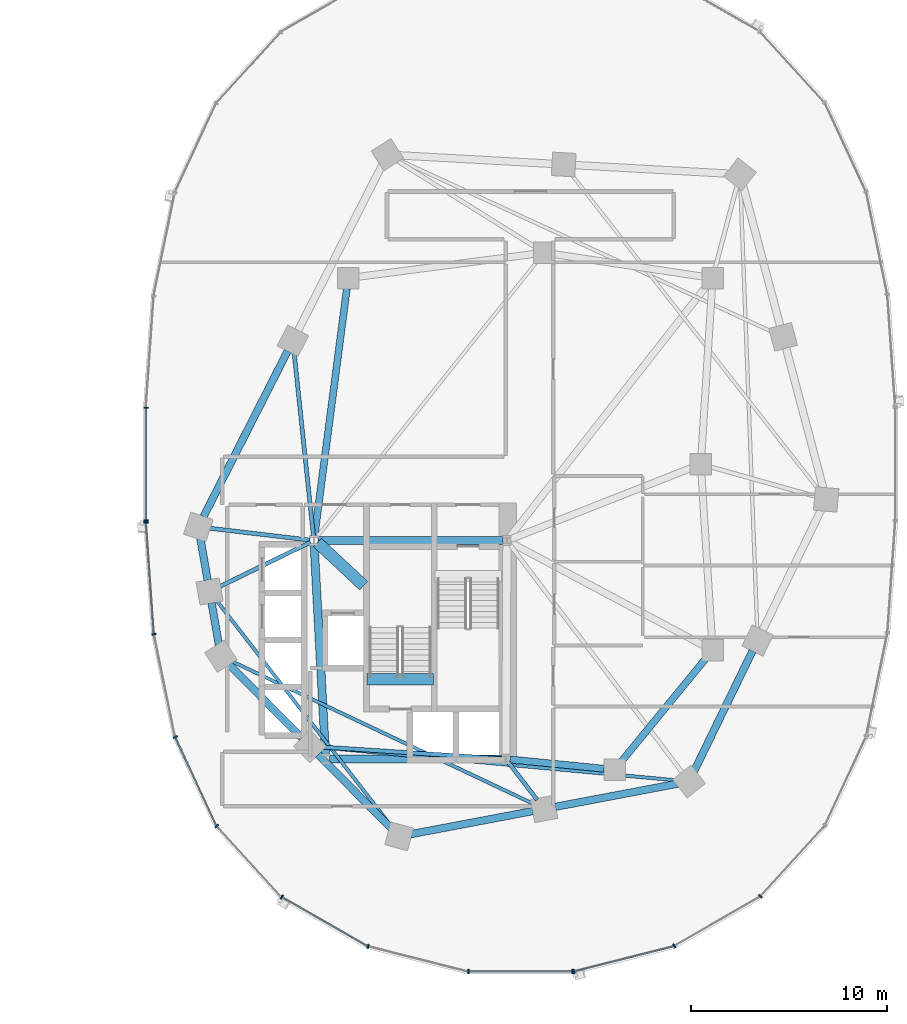
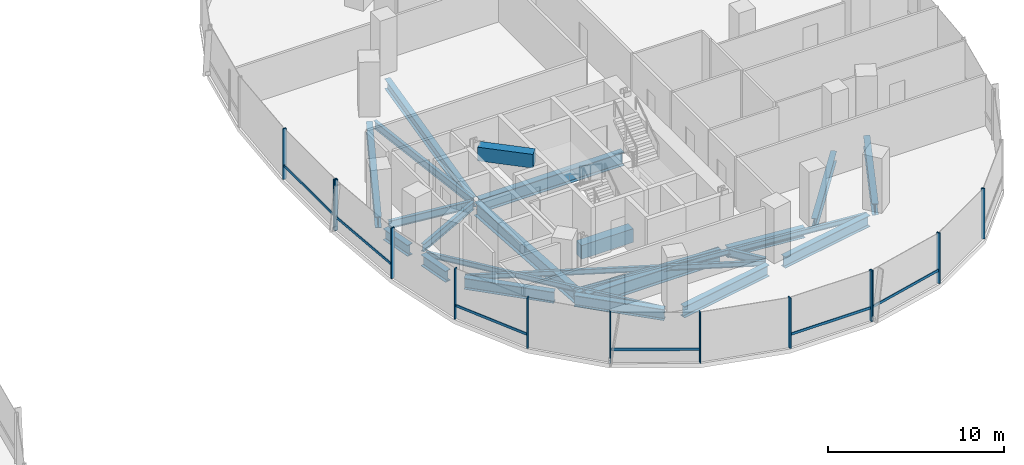
# One storey, part 5 of 21: 24 beams, 19 members, 3 elements without a shape of their own.
"""IFC4 building model written with IfcOpenShell, lengths in metres."""

from ifc_helpers import new_model, si_unit, direction, frame, origin, origin_2d, place, context, subcontext, project, spatial, rectangle, i_section, extrude, material, material_profile, profile_set, type_object, element, aggregate, save


model = new_model("IFC4")

# Units and contexts
model_context = context("Model", 3, precision=1e-05, world=origin(), true_north=direction((0.0, 1.0)))
body_context = subcontext(model_context, "Body", "Model", "MODEL_VIEW")
ifc_project = project(units=[si_unit("LENGTHUNIT", "METRE"), si_unit("AREAUNIT", "SQUARE_METRE"), si_unit("VOLUMEUNIT", "CUBIC_METRE"), si_unit("PLANEANGLEUNIT", "RADIAN"), si_unit("MASSUNIT", "GRAM", prefix="KILO"), si_unit("THERMODYNAMICTEMPERATUREUNIT", "KELVIN"), si_unit("POWERUNIT", "WATT")], contexts=[model_context])

# Site, building, storey
site_placement = place(None, origin())
site = spatial("IfcSite", under=ifc_project, at=site_placement, CompositionType="ELEMENT")
building_placement = place(site_placement, origin())
building = spatial("IfcBuilding", under=site, at=building_placement, Name="Cundina Bronze Exchange", CompositionType="ELEMENT")
storey_placement = place(building_placement, frame((0.0, 0.0, 50.60009765625)))
storey = spatial("IfcBuildingStorey", under=building, at=storey_placement, Name="L12", CompositionType="ELEMENT", Elevation=50.60009765625)

# Beams
ifc_material_1 = material(Name="Concrete C60/75", Category="concrete")
ifc_material_profile_1 = material_profile(ifc_material_1, rectangle(XDim=0.60009765625, YDim=0.949951171875, at=origin_2d()), Name="RC600X950", Category="concrete")
ifc_profile_set_1 = profile_set([ifc_material_profile_1], Name="Concrete C60/75")
beam_type_1 = type_object("IfcBeamType", Name="BM-COUP-RC950", PredefinedType="LINTEL", material=ifc_profile_set_1)
beam_1_placement = place(storey_placement, frame((24.159912109375, -10.97998046875, -0.47509765625), z_axis=(1.0, 0.0, 0.0), x_axis=(0.0, 1.0, 0.0)))
element("IfcBeam", 1, at=beam_1_placement, inside=storey, type_object=beam_type_1, Name="L12 Stair E2 Landing Header Beam", PredefinedType="LINTEL", context=body_context, shape_type="SweptSolid", body=[
    extrude(rectangle(XDim=0.60009765625, YDim=0.949951171875, at=origin_2d()), origin(), (0.0, 0.0, 1.0), 3.400146484375),
])
beam_2_placement = place(storey_placement, frame((21.6298828125, -4.0, 3.02490234375), z_axis=(0.731490439815, -0.681851696822, 0.0), x_axis=(0.681851696822, 0.731490439815, 0.0)))
element("IfcBeam", 2, at=beam_2_placement, inside=storey, type_object=beam_type_1, Name="L12 E Core Shear Coupling Lintel Beam", PredefinedType="LINTEL", context=body_context, shape_type="SweptSolid", body=[
    extrude(rectangle(XDim=0.60009765625, YDim=0.949951171875, at=origin_2d()), origin(), (0.0, 0.0, 1.0), 3.226318359375),
])
ifc_material_2 = material(Name="Steel ASTM A992 Grade 50", Category="steel")
ifc_material_profile_2 = material_profile(ifc_material_2, i_section(OverallWidth=0.2099609375, OverallDepth=0.532958984375, WebThickness=0.01025390625, FlangeThickness=0.015625, FilletRadius=0.013916015625, at=origin_2d()), Name="W21X62", Category="steel")
ifc_profile_set_2 = profile_set([ifc_material_profile_2], Name="Steel ASTM A992 Grade 50")
beam_type_2 = type_object("IfcBeamType", Name="BM-FLR-W21B", PredefinedType="BEAM", material=ifc_profile_set_2)
beam_3_placement = place(storey_placement, frame((21.247314453125, -3.8759765625, -0.566650390625), z_axis=(-0.993035236117, 0.117817739878, 0.0), x_axis=(-0.117817739878, -0.993035236117, 0.0)))
element("IfcBeam", 3, at=beam_3_placement, inside=storey, type_object=beam_type_2, Name="L12 Leg E Chordal Floor Beam 00", PredefinedType="BEAM", context=body_context, shape_type="SweptSolid", body=[
    extrude(i_section(OverallWidth=0.2099609375, OverallDepth=0.532958984375, WebThickness=0.01025390625, FlangeThickness=0.015625, FilletRadius=0.013916015625, at=origin_2d()), origin(), (0.0, 0.0, 1.0), 5.1494140625),
])
beam_4_placement = place(storey_placement, frame((21.2666015625, -3.989501953125, -0.566650390625), z_axis=(-0.898610249448, -0.438747785849, 0.0), x_axis=(0.438747785849, -0.898610249448, 0.0)))
element("IfcBeam", 4, at=beam_4_placement, inside=storey, type_object=beam_type_2, Name="L12 Leg E Chordal Floor Beam 01", PredefinedType="BEAM", context=body_context, shape_type="SweptSolid", body=[
    extrude(i_section(OverallWidth=0.2099609375, OverallDepth=0.532958984375, WebThickness=0.01025390625, FlangeThickness=0.015625, FilletRadius=0.013916015625, at=origin_2d()), origin(), (0.0, 0.0, 1.0), 5.1337890625),
])
beam_5_placement = place(storey_placement, frame((31.04638671875, -15.036865234375, -0.566650390625), z_axis=(-0.99789233798, 0.064891307594, 0.0), x_axis=(-0.064891307594, -0.99789233798, 0.0)))
element("IfcBeam", 5, at=beam_5_placement, inside=storey, type_object=beam_type_2, Name="L12 Leg E Chordal Floor Beam 03", PredefinedType="BEAM", context=body_context, shape_type="SweptSolid", body=[
    extrude(i_section(OverallWidth=0.2099609375, OverallDepth=0.532958984375, WebThickness=0.01025390625, FlangeThickness=0.015625, FilletRadius=0.013916015625, at=origin_2d()), origin(), (0.0, 0.0, 1.0), 9.22900390625),
])
beam_6_placement = place(storey_placement, frame((31.373779296875, -15.2119140625, -0.566650390625), z_axis=(0.607468844289, -0.794343504548, 0.0), x_axis=(0.794343504548, 0.607468844289, 0.0)))
element("IfcBeam", 6, at=beam_6_placement, inside=storey, type_object=beam_type_2, Name="L12 Leg E Chordal Floor Beam 05", PredefinedType="BEAM", context=body_context, shape_type="SweptSolid", body=[
    extrude(i_section(OverallWidth=0.2099609375, OverallDepth=0.532958984375, WebThickness=0.01025390625, FlangeThickness=0.015625, FilletRadius=0.013916015625, at=origin_2d()), origin(), (0.0, 0.0, 1.0), 2.418212890625),
])
beam_7_placement = place(storey_placement, frame((21.4287109375, -3.697021484375, -0.566650390625), z_axis=(-0.10483517787, 0.994489610544, 0.0), x_axis=(-0.994489610544, -0.10483517787, 0.0)))
element("IfcBeam", 7, at=beam_7_placement, inside=storey, type_object=beam_type_2, Name="L12 Leg E Chordal Floor Beam 13", PredefinedType="BEAM", context=body_context, shape_type="SweptSolid", body=[
    extrude(i_section(OverallWidth=0.2099609375, OverallDepth=0.532958984375, WebThickness=0.01025390625, FlangeThickness=0.015625, FilletRadius=0.013916015625, at=origin_2d()), origin(), (0.0, 0.0, 1.0), 9.46435546875),
])
ifc_material_profile_3 = material_profile(ifc_material_2, i_section(OverallWidth=0.172119140625, OverallDepth=0.35791015625, WebThickness=0.0078125, FlangeThickness=0.01318359375, FilletRadius=0.010009765625, at=origin_2d()), Name="W14X38", Category="steel")
ifc_profile_set_3 = profile_set([ifc_material_profile_3], Name="Steel ASTM A992 Grade 50")
beam_type_3 = type_object("IfcBeamType", Name="BM-JST-W14", PredefinedType="JOIST", material=ifc_profile_set_3)
beam_8_placement = place(storey_placement, frame((16.48486328125, -6.965087890625, -0.47900390625), z_axis=(0.612089386305, -0.790788583108, 0.0), x_axis=(0.790788583108, 0.612089386305, 0.0)))
element("IfcBeam", 8, at=beam_8_placement, inside=storey, type_object=beam_type_3, Name="L12 Leg E Lobe Floor Joist 01-04", PredefinedType="JOIST", context=body_context, shape_type="SweptSolid", body=[
    extrude(i_section(OverallWidth=0.172119140625, OverallDepth=0.35791015625, WebThickness=0.0078125, FlangeThickness=0.01318359375, FilletRadius=0.010009765625, at=origin_2d()), origin(), (0.0, 0.0, 1.0), 14.630859375),
])
beam_9_placement = place(storey_placement, frame((17.231689453125, -10.05126953125, -0.47900390625), z_axis=(0.904072668297, -0.427378766949, 0.0), x_axis=(0.427378766949, 0.904072668297, 0.0)))
element("IfcBeam", 9, at=beam_9_placement, inside=storey, type_object=beam_type_3, Name="L12 Leg E Lobe Floor Joist 02-05", PredefinedType="JOIST", context=body_context, shape_type="SweptSolid", body=[
    extrude(i_section(OverallWidth=0.172119140625, OverallDepth=0.35791015625, WebThickness=0.0078125, FlangeThickness=0.01318359375, FilletRadius=0.010009765625, at=origin_2d()), origin(), (0.0, 0.0, 1.0), 17.07470703125),
])
beam_10_placement = place(storey_placement, frame((21.83544921875, -14.45458984375, -0.47900390625), z_axis=(0.995701961644, -0.09261535282, 0.0), x_axis=(0.09261535282, 0.995701961644, 0.0)))
element("IfcBeam", 10, at=beam_10_placement, inside=storey, type_object=beam_type_3, Name="L12 Leg E Lobe Floor Joist 03-06", PredefinedType="JOIST", context=body_context, shape_type="SweptSolid", body=[
    extrude(i_section(OverallWidth=0.172119140625, OverallDepth=0.35791015625, WebThickness=0.0078125, FlangeThickness=0.01318359375, FilletRadius=0.010009765625, at=origin_2d()), origin(), (0.0, 0.0, 1.0), 18.25732421875),
])
ifc_material_profile_4 = material_profile(ifc_material_2, i_section(OverallWidth=0.35498046875, OverallDepth=0.695068359375, WebThickness=0.015380859375, FlangeThickness=0.02490234375, FilletRadius=0.01806640625, at=origin_2d()), Name="W27X146", Category="steel")
ifc_profile_set_4 = profile_set([ifc_material_profile_4], Name="Steel ASTM A992 Grade 50")
beam_type_4 = type_object("IfcBeamType", Name="BM-RING-W27", PredefinedType="USERDEFINED", material=ifc_profile_set_4)
beam_11_placement = place(storey_placement, frame((31.452880859375, -15.070068359375, -0.647705078125), z_axis=(0.995126271817, -0.098608839051, 0.0), x_axis=(0.098608839051, 0.995126271817, 0.0)))
element("IfcBeam", 11, at=beam_11_placement, inside=storey, type_object=beam_type_4, Name="L12 E Inner Structural Ring Girder 01", ObjectType="GIRDER", PredefinedType="USERDEFINED", context=body_context, shape_type="SweptSolid", body=[
    extrude(i_section(OverallWidth=0.35498046875, OverallDepth=0.695068359375, WebThickness=0.015380859375, FlangeThickness=0.02490234375, FilletRadius=0.01806640625, at=origin_2d()), origin(), (0.0, 0.0, 1.0), 4.83544921875),
])
beam_12_placement = place(storey_placement, frame((37.14111328125, -15.183837890625, -0.647705078125), z_axis=(0.633926549035, 0.773393257295, 0.0), x_axis=(-0.773393257295, 0.633926549035, 0.0)))
element("IfcBeam", 12, at=beam_12_placement, inside=storey, type_object=beam_type_4, Name="L12 E Inner Structural Ring Girder 02", ObjectType="GIRDER", PredefinedType="USERDEFINED", context=body_context, shape_type="SweptSolid", body=[
    extrude(i_section(OverallWidth=0.35498046875, OverallDepth=0.695068359375, WebThickness=0.015380859375, FlangeThickness=0.02490234375, FilletRadius=0.01806640625, at=origin_2d()), origin(), (0.0, 0.0, 1.0), 6.811279296875),
])
beam_13_placement = place(storey_placement, frame((23.13037109375, 8.966552734375, -0.647705078125), z_axis=(-0.129507526533, -0.99157843894, 0.0), x_axis=(0.99157843894, -0.129507526533, 0.0)))
element("IfcBeam", 13, at=beam_13_placement, inside=storey, type_object=beam_type_4, Name="L12 E Inner Structural Ring Girder 07", ObjectType="GIRDER", PredefinedType="USERDEFINED", context=body_context, shape_type="SweptSolid", body=[
    extrude(i_section(OverallWidth=0.35498046875, OverallDepth=0.695068359375, WebThickness=0.015380859375, FlangeThickness=0.02490234375, FilletRadius=0.01806640625, at=origin_2d()), origin(), (0.0, 0.0, 1.0), 12.77197265625),
])
ifc_material_profile_5 = material_profile(ifc_material_2, i_section(OverallWidth=0.381103515625, OverallDepth=0.77294921875, WebThickness=0.0166015625, FlangeThickness=0.027099609375, FilletRadius=0.01904296875, at=origin_2d()), Name="W30X173", Category="steel")
ifc_profile_set_5 = profile_set([ifc_material_profile_5], Name="Steel ASTM A992 Grade 50")
beam_type_5 = type_object("IfcBeamType", Name="BM-RING-W30", PredefinedType="USERDEFINED", material=ifc_profile_set_5)
for number, where, z_axis, x_axis, name in (
    (14, (15.65087890625, -3.779296875, -0.6865234375), (0.171734584051, -0.985143254883, 0.0), (0.985143254883, 0.171734584051, 0.0), "L12 E Perimeter Ring Girder 00"),
    (15, (16.225830078125, -7.079345703125, -0.6865234375), (0.171734584051, -0.985143254883, 0.0), (0.985143254883, 0.171734584051, 0.0), "L12 E Perimeter Ring Girder 01"),
):
    element("IfcBeam", number, at=place(storey_placement, frame(where, z_axis=z_axis, x_axis=x_axis)), inside=storey, type_object=beam_type_5, Name=name, ObjectType="GIRDER", PredefinedType="USERDEFINED", context=body_context, shape_type="SweptSolid", body=[
        extrude(i_section(OverallWidth=0.381103515625, OverallDepth=0.77294921875, WebThickness=0.0166015625, FlangeThickness=0.027099609375, FilletRadius=0.01904296875, at=origin_2d()), origin(), (0.0, 0.0, 1.0), 2.173583984375),
    ])
for number, where, z_axis, x_axis, name in (
    (16, (17.113525390625, -10.218017578125, -0.6865234375), (0.703222428859, -0.710969911845, 0.0), (0.710969911845, 0.703222428859, 0.0), "L12 E Perimeter Ring Girder 02"),
    (17, (21.66357421875, -14.818115234375, -0.6865234375), (0.703222428859, -0.710969911845, 0.0), (0.710969911845, 0.703222428859, 0.0), "L12 E Perimeter Ring Girder 03"),
):
    element("IfcBeam", number, at=place(storey_placement, frame(where, z_axis=z_axis, x_axis=x_axis)), inside=storey, type_object=beam_type_5, Name=name, ObjectType="GIRDER", PredefinedType="USERDEFINED", context=body_context, shape_type="SweptSolid", body=[
        extrude(i_section(OverallWidth=0.381103515625, OverallDepth=0.77294921875, WebThickness=0.0166015625, FlangeThickness=0.027099609375, FilletRadius=0.01904296875, at=origin_2d()), origin(), (0.0, 0.0, 1.0), 5.2939453125),
    ])
beam_14_placement = place(storey_placement, frame((26.377685546875, -18.890625, -0.6865234375), z_axis=(0.982570814598, 0.185888661031, 0.0), x_axis=(-0.185888661031, 0.982570814598, 0.0)))
element("IfcBeam", 18, at=beam_14_placement, inside=storey, type_object=beam_type_5, Name="L12 E Perimeter Ring Girder 04", ObjectType="GIRDER", PredefinedType="USERDEFINED", context=body_context, shape_type="SweptSolid", body=[
    extrude(i_section(OverallWidth=0.381103515625, OverallDepth=0.77294921875, WebThickness=0.0166015625, FlangeThickness=0.027099609375, FilletRadius=0.01904296875, at=origin_2d()), origin(), (0.0, 0.0, 1.0), 6.35546875),
])
beam_15_placement = place(storey_placement, frame((33.77783203125, -17.49072265625, -0.6865234375), z_axis=(0.982569487119, 0.185895677686, 0.0), x_axis=(-0.185895677686, 0.982569487119, 0.0)))
element("IfcBeam", 19, at=beam_15_placement, inside=storey, type_object=beam_type_5, Name="L12 E Perimeter Ring Girder 05", ObjectType="GIRDER", PredefinedType="USERDEFINED", context=body_context, shape_type="SweptSolid", body=[
    extrude(i_section(OverallWidth=0.381103515625, OverallDepth=0.77294921875, WebThickness=0.0166015625, FlangeThickness=0.027099609375, FilletRadius=0.01904296875, at=origin_2d()), origin(), (0.0, 0.0, 1.0), 6.355224609375),
])
beam_16_placement = place(storey_placement, frame((40.857177734375, -15.671142578125, -0.6865234375), z_axis=(0.437190698904, 0.899368830231, 0.0), x_axis=(-0.899368830231, 0.437190698904, 0.0)))
element("IfcBeam", 20, at=beam_16_placement, inside=storey, type_object=beam_type_5, Name="L12 E Perimeter Ring Girder 06", ObjectType="GIRDER", PredefinedType="USERDEFINED", context=body_context, shape_type="SweptSolid", body=[
    extrude(i_section(OverallWidth=0.381103515625, OverallDepth=0.77294921875, WebThickness=0.0166015625, FlangeThickness=0.027099609375, FilletRadius=0.01904296875, at=origin_2d()), origin(), (0.0, 0.0, 1.0), 6.82958984375),
])
beam_17_placement = place(storey_placement, frame((20.108642578125, 5.775634765625, -0.6865234375), z_axis=(-0.452819633606, -0.891602141889, 0.0), x_axis=(0.891602141889, -0.452819633606, 0.0)))
element("IfcBeam", 21, at=beam_17_placement, inside=storey, type_object=beam_type_5, Name="L12 E Perimeter Ring Girder 13", ObjectType="GIRDER", PredefinedType="USERDEFINED", context=body_context, shape_type="SweptSolid", body=[
    extrude(i_section(OverallWidth=0.381103515625, OverallDepth=0.77294921875, WebThickness=0.0166015625, FlangeThickness=0.027099609375, FilletRadius=0.01904296875, at=origin_2d()), origin(), (0.0, 0.0, 1.0), 9.47900390625),
])
ifc_material_profile_6 = material_profile(ifc_material_2, i_section(OverallWidth=0.41796875, OverallDepth=0.927001953125, WebThickness=0.019287109375, FlangeThickness=0.031982421875, FilletRadius=0.02392578125, at=origin_2d()), Name="W36X231", Category="steel")
ifc_profile_set_6 = profile_set([ifc_material_profile_6], Name="Steel ASTM A992 Grade 50")
beam_type_6 = type_object("IfcBeamType", Name="BM-WRN-W36B", PredefinedType="USERDEFINED", material=ifc_profile_set_6)
beam_18_placement = place(storey_placement, frame((31.095947265625, -3.89990234375, -0.763671875), z_axis=(-1.0, 0.0, 0.0), x_axis=(0.0, -1.0, 0.0)))
element("IfcBeam", 22, at=beam_18_placement, inside=storey, type_object=beam_type_6, Name="L12 E Core Perimeter Tie Girder 1", ObjectType="GIRDER", PredefinedType="USERDEFINED", context=body_context, shape_type="SweptSolid", body=[
    extrude(i_section(OverallWidth=0.41796875, OverallDepth=0.927001953125, WebThickness=0.019287109375, FlangeThickness=0.031982421875, FilletRadius=0.02392578125, at=origin_2d()), origin(), (0.0, 0.0, 1.0), 9.44189453125),
])
beam_19_placement = place(storey_placement, frame((21.4609375, -4.103759765625, -0.763671875), z_axis=(0.053739193498, -0.998555005537, 0.0), x_axis=(0.998555005537, 0.053739193498, 0.0)))
element("IfcBeam", 23, at=beam_19_placement, inside=storey, type_object=beam_type_6, Name="L12 E Core Perimeter Tie Girder 2", ObjectType="GIRDER", PredefinedType="USERDEFINED", context=body_context, shape_type="SweptSolid", body=[
    extrude(i_section(OverallWidth=0.41796875, OverallDepth=0.927001953125, WebThickness=0.019287109375, FlangeThickness=0.031982421875, FilletRadius=0.02392578125, at=origin_2d()), origin(), (0.0, 0.0, 1.0), 10.758056640625),
])
beam_20_placement = place(storey_placement, frame((22.25390625, -15.050048828125, -0.763671875), z_axis=(1.0, 0.0, 0.0), x_axis=(0.0, 1.0, 0.0)))
element("IfcBeam", 24, at=beam_20_placement, inside=storey, type_object=beam_type_6, Name="L12 E Core Perimeter Tie Girder 3", ObjectType="GIRDER", PredefinedType="USERDEFINED", context=body_context, shape_type="SweptSolid", body=[
    extrude(i_section(OverallWidth=0.41796875, OverallDepth=0.927001953125, WebThickness=0.019287109375, FlangeThickness=0.031982421875, FilletRadius=0.02392578125, at=origin_2d()), origin(), (0.0, 0.0, 1.0), 8.7919921875),
])

# Curtain wall, members
ifc_material_3 = material(Name="Anodised Bronze Aluminium 6063-T6", Category="aluminium")
curtain_wall_type = type_object("IfcCurtainWallType", Name="CWS-TRD-LOW", PredefinedType="NOTDEFINED", material=ifc_material_3)
curtain_wall_1_placement = place(storey_placement, origin())
curtain_wall_1 = element("IfcCurtainWall", 25, at=curtain_wall_1_placement, inside=storey, type_object=curtain_wall_type, Name="L12 CW-02 Curtain Wall Run CWR-L12-E2", PredefinedType="NOTDEFINED")
ifc_material_profile_7 = material_profile(ifc_material_3, rectangle(XDim=0.074951171875, YDim=0.219970703125, at=origin_2d()), Name="AL75X220", Category="aluminium")
ifc_profile_set_7 = profile_set([ifc_material_profile_7], Name="Anodised Bronze Aluminium 6063-T6")
member_type_1 = type_object("IfcMemberType", Name="CWM-MUL-220", PredefinedType="MULLION", material=ifc_profile_set_7)
member_1_placement = place(storey_placement, frame((12.8720703125, 2.880615234375, 0.0), z_axis=(0.0, 0.0, 1.0), x_axis=(0.0, -1.0, 0.0)))
member_1 = element("IfcMember", 26, at=member_1_placement, type_object=member_type_1, Name="CW-02 Mullion 7", PredefinedType="MULLION", context=body_context, shape_type="SweptSolid", body=[
    extrude(rectangle(XDim=0.074951171875, YDim=0.219970703125, at=origin_2d()), origin(), (0.0, 0.0, 1.0), 3.5),
])
member_2_placement = place(storey_placement, frame((12.8720703125, -2.880615234375, 0.0), z_axis=(0.0, 0.0, 1.0), x_axis=(0.0, -1.0, 0.0)))
member_2 = element("IfcMember", 27, at=member_2_placement, type_object=member_type_1, Name="CW-02 End Mullion", PredefinedType="MULLION", context=body_context, shape_type="SweptSolid", body=[
    extrude(rectangle(XDim=0.074951171875, YDim=0.219970703125, at=origin_2d()), origin(), (0.0, 0.0, 1.0), 3.5),
])

curtain_wall_2_placement = place(storey_placement, origin())
curtain_wall_2 = element("IfcCurtainWall", 28, at=curtain_wall_2_placement, inside=storey, type_object=curtain_wall_type, Name="L12 CW-02 Curtain Wall Run CWR-L12-E3", PredefinedType="NOTDEFINED")
member_3_placement = place(storey_placement, frame((12.87548828125, -2.976318359375, 0.0), z_axis=(0.0, 0.0, 1.0), x_axis=(0.070278787473, -0.997527389113, 0.0)))
member_3 = element("IfcMember", 29, at=member_3_placement, type_object=member_type_1, Name="CW-02 Mullion 1", PredefinedType="MULLION", context=body_context, shape_type="SweptSolid", body=[
    extrude(rectangle(XDim=0.074951171875, YDim=0.219970703125, at=origin_2d()), origin(), (0.0, 0.0, 1.0), 3.5),
])
member_4_placement = place(storey_placement, frame((13.282958984375, -8.67822265625, 0.0), z_axis=(0.0, 0.0, 1.0), x_axis=(0.201419845156, -0.979505000486, 0.0)))
member_4 = element("IfcMember", 30, at=member_4_placement, type_object=member_type_1, Name="CW-02 Mullion 2", PredefinedType="MULLION", context=body_context, shape_type="SweptSolid", body=[
    extrude(rectangle(XDim=0.074951171875, YDim=0.219970703125, at=origin_2d()), origin(), (0.0, 0.0, 1.0), 3.5),
])
member_5_placement = place(storey_placement, frame((14.3720703125, -13.931884765625, 0.0), z_axis=(0.0, 0.0, 1.0), x_axis=(0.42087749791, -0.907117485088, 0.0)))
member_5 = element("IfcMember", 31, at=member_5_placement, type_object=member_type_1, Name="CW-02 Mullion 3", PredefinedType="MULLION", context=body_context, shape_type="SweptSolid", body=[
    extrude(rectangle(XDim=0.074951171875, YDim=0.219970703125, at=origin_2d()), origin(), (0.0, 0.0, 1.0), 3.5),
])
member_6_placement = place(storey_placement, frame((16.491455078125, -18.47705078125, 0.0), z_axis=(0.0, 0.0, 1.0), x_axis=(0.674302387584, -0.738455340626, 0.0)))
member_6 = element("IfcMember", 32, at=member_6_placement, type_object=member_type_1, Name="CW-02 Mullion 4", PredefinedType="MULLION", context=body_context, shape_type="SweptSolid", body=[
    extrude(rectangle(XDim=0.074951171875, YDim=0.219970703125, at=origin_2d()), origin(), (0.0, 0.0, 1.0), 3.5),
])
member_7_placement = place(storey_placement, frame((19.810302734375, -22.097412109375, 0.0), z_axis=(0.0, 0.0, 1.0), x_axis=(0.867070701164, -0.498185105339, 0.0)))
member_7 = element("IfcMember", 33, at=member_7_placement, type_object=member_type_1, Name="CW-02 Mullion 5", PredefinedType="MULLION", context=body_context, shape_type="SweptSolid", body=[
    extrude(rectangle(XDim=0.074951171875, YDim=0.219970703125, at=origin_2d()), origin(), (0.0, 0.0, 1.0), 3.5),
])
member_8_placement = place(storey_placement, frame((24.21484375, -24.61669921875, 0.0), z_axis=(0.0, 0.0, 1.0), x_axis=(0.969488149345, -0.245138182011, 0.0)))
member_8 = element("IfcMember", 34, at=member_8_placement, type_object=member_type_1, Name="CW-02 Mullion 6", PredefinedType="MULLION", context=body_context, shape_type="SweptSolid", body=[
    extrude(rectangle(XDim=0.074951171875, YDim=0.219970703125, at=origin_2d()), origin(), (0.0, 0.0, 1.0), 3.5),
])
member_9_placement = place(storey_placement, frame((29.345458984375, -25.905029296875, 0.0), z_axis=(0.0, 0.0, 1.0), x_axis=(1.0, 0.0, 0.0)))
member_9 = element("IfcMember", 35, at=member_9_placement, type_object=member_type_1, Name="CW-02 Mullion 7", PredefinedType="MULLION", context=body_context, shape_type="SweptSolid", body=[
    extrude(rectangle(XDim=0.074951171875, YDim=0.219970703125, at=origin_2d()), origin(), (0.0, 0.0, 1.0), 3.5),
])
member_10_placement = place(storey_placement, frame((34.654541015625, -25.905029296875, 0.0), z_axis=(0.0, 0.0, 1.0), x_axis=(1.0, 0.0, 0.0)))
member_10 = element("IfcMember", 36, at=member_10_placement, type_object=member_type_1, Name="CW-02 End Mullion", PredefinedType="MULLION", context=body_context, shape_type="SweptSolid", body=[
    extrude(rectangle(XDim=0.074951171875, YDim=0.219970703125, at=origin_2d()), origin(), (0.0, 0.0, 1.0), 3.5),
])

curtain_wall_3_placement = place(storey_placement, origin())
curtain_wall_3 = element("IfcCurtainWall", 37, at=curtain_wall_3_placement, inside=storey, type_object=curtain_wall_type, Name="L12 CW-02 Curtain Wall Run CWR-L12-E4", PredefinedType="NOTDEFINED")
member_11_placement = place(storey_placement, frame((34.72607421875, -25.89599609375, 0.0), z_axis=(0.0, 0.0, 1.0), x_axis=(0.969488149345, 0.245138182011, 0.0)))
member_11 = element("IfcMember", 38, at=member_11_placement, type_object=member_type_1, Name="CW-02 Mullion 1", PredefinedType="MULLION", context=body_context, shape_type="SweptSolid", body=[
    extrude(rectangle(XDim=0.074951171875, YDim=0.219970703125, at=origin_2d()), origin(), (0.0, 0.0, 1.0), 3.5),
])
member_12_placement = place(storey_placement, frame((39.848876953125, -24.591064453125, 0.0), z_axis=(0.0, 0.0, 1.0), x_axis=(0.867070701164, 0.498185105339, 0.0)))
member_12 = element("IfcMember", 39, at=member_12_placement, type_object=member_type_1, Name="CW-02 Mullion 2", PredefinedType="MULLION", context=body_context, shape_type="SweptSolid", body=[
    extrude(rectangle(XDim=0.074951171875, YDim=0.219970703125, at=origin_2d()), origin(), (0.0, 0.0, 1.0), 3.5),
])
member_13_placement = place(storey_placement, frame((44.239501953125, -22.0576171875, 0.0), z_axis=(0.0, 0.0, 1.0), x_axis=(0.674302387584, 0.738455340626, 0.0)))
member_13 = element("IfcMember", 40, at=member_13_placement, type_object=member_type_1, Name="CW-02 Mullion 3", PredefinedType="MULLION", context=body_context, shape_type="SweptSolid", body=[
    extrude(rectangle(XDim=0.074951171875, YDim=0.219970703125, at=origin_2d()), origin(), (0.0, 0.0, 1.0), 3.5),
])

# Member
ifc_material_profile_8 = material_profile(ifc_material_3, rectangle(XDim=0.070068359375, YDim=0.179931640625, at=origin_2d()), Name="AL70X180", Category="aluminium")
ifc_profile_set_8 = profile_set([ifc_material_profile_8], Name="Anodised Bronze Aluminium 6063-T6")
member_type_2 = type_object("IfcMemberType", Name="CWM-TRN-180", PredefinedType="USERDEFINED", material=ifc_profile_set_8)
member_14_placement = place(storey_placement, frame((12.8720703125, 2.839111328125, 0.919921875), z_axis=(0.0, -1.0, 0.0), x_axis=(1.0, 0.0, 0.0)))
member_14 = element("IfcMember", 41, at=member_14_placement, type_object=member_type_2, Name="CW-02 Spandrel Transom 7", ObjectType="TRANSOM", PredefinedType="USERDEFINED", context=body_context, shape_type="SweptSolid", body=[
    extrude(rectangle(XDim=0.070068359375, YDim=0.179931640625, at=origin_2d()), origin(), (0.0, 0.0, 1.0), 5.67822265625),
])

aggregate(curtain_wall_1, [member_1, member_2, member_14])

member_15_placement = place(storey_placement, frame((12.87841796875, -3.017333984375, 0.919921875), z_axis=(0.070260714471, -0.997528662246, 0.0), x_axis=(0.997528662246, 0.070260714471, 0.0)))
member_15 = element("IfcMember", 42, at=member_15_placement, type_object=member_type_2, Name="CW-02 Spandrel Transom 1", ObjectType="TRANSOM", PredefinedType="USERDEFINED", context=body_context, shape_type="SweptSolid", body=[
    extrude(rectangle(XDim=0.070068359375, YDim=0.179931640625, at=origin_2d()), origin(), (0.0, 0.0, 1.0), 5.629150390625),
])

member_16_placement = place(storey_placement, frame((14.389404296875, -13.96923828125, 0.919921875), z_axis=(0.420811422796, -0.907148139195, 0.0), x_axis=(0.907148139195, 0.420811422796, 0.0)))
member_16 = element("IfcMember", 43, at=member_16_placement, type_object=member_type_2, Name="CW-02 Spandrel Transom 3", ObjectType="TRANSOM", PredefinedType="USERDEFINED", context=body_context, shape_type="SweptSolid", body=[
    extrude(rectangle(XDim=0.070068359375, YDim=0.179931640625, at=origin_2d()), origin(), (0.0, 0.0, 1.0), 4.95166015625),
])

member_17_placement = place(storey_placement, frame((19.845947265625, -22.117919921875, 0.919921875), z_axis=(0.867097475651, -0.498138502546, 0.0), x_axis=(0.498138502546, 0.867097475651, 0.0)))
member_17 = element("IfcMember", 44, at=member_17_placement, type_object=member_type_2, Name="CW-02 Spandrel Transom 5", ObjectType="TRANSOM", PredefinedType="USERDEFINED", context=body_context, shape_type="SweptSolid", body=[
    extrude(rectangle(XDim=0.070068359375, YDim=0.179931640625, at=origin_2d()), origin(), (0.0, 0.0, 1.0), 5.00634765625),
])

member_18_placement = place(storey_placement, frame((29.38671875, -25.905029296875, 0.919921875), z_axis=(1.0, 0.0, 0.0), x_axis=(0.0, 1.0, 0.0)))
member_18 = element("IfcMember", 45, at=member_18_placement, type_object=member_type_2, Name="CW-02 Spandrel Transom 7", ObjectType="TRANSOM", PredefinedType="USERDEFINED", context=body_context, shape_type="SweptSolid", body=[
    extrude(rectangle(XDim=0.070068359375, YDim=0.179931640625, at=origin_2d()), origin(), (0.0, 0.0, 1.0), 5.2265625),
])

aggregate(curtain_wall_2, [member_3, member_15, member_4, member_5, member_16, member_6, member_7, member_17, member_8, member_9, member_10, member_18])

member_19_placement = place(storey_placement, frame((34.76611328125, -25.885986328125, 0.919921875), z_axis=(0.969483968866, 0.245154714644, 0.0), x_axis=(-0.245154714644, 0.969483968866, 0.0)))
member_19 = element("IfcMember", 46, at=member_19_placement, type_object=member_type_2, Name="CW-02 Spandrel Transom 1", ObjectType="TRANSOM", PredefinedType="USERDEFINED", context=body_context, shape_type="SweptSolid", body=[
    extrude(rectangle(XDim=0.070068359375, YDim=0.179931640625, at=origin_2d()), origin(), (0.0, 0.0, 1.0), 5.21826171875),
])

aggregate(curtain_wall_3, [member_11, member_19, member_12, member_13])

save(model, "model.ifc")
